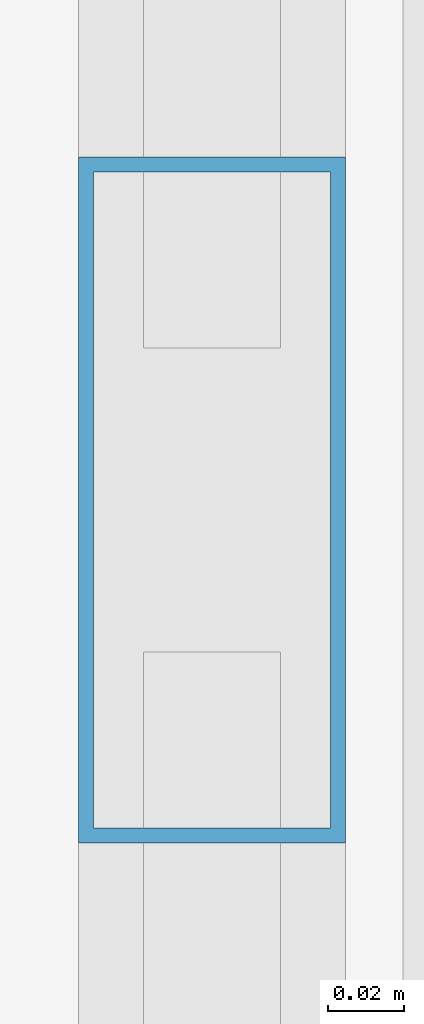
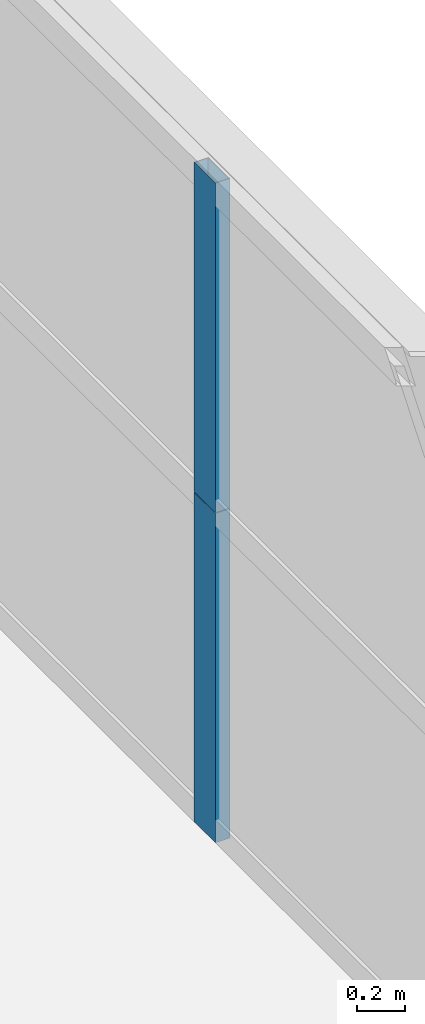
# One storey, part 17 of 37: 2 members, 1 element without a shape of its own.
"""IFC4 building model written with IfcOpenShell, lengths in metres."""

from ifc_helpers import new_model, si_unit, direction, frame, origin, origin_2d, place, context, subcontext, project, spatial, hollow_rectangle, extrude, source, transform, mapped, material, layer, layer_set, material_profile, profile_set, type_object, element, aggregate, save


model = new_model("IFC4")

# Units and contexts
model_context = context("Model", 3, precision=1e-05, world=origin(), true_north=direction((0.0, 1.0)))
body_context = subcontext(model_context, "Body", "Model", "MODEL_VIEW")
ifc_project = project(units=[si_unit("LENGTHUNIT", "METRE"), si_unit("AREAUNIT", "SQUARE_METRE"), si_unit("VOLUMEUNIT", "CUBIC_METRE"), si_unit("PLANEANGLEUNIT", "RADIAN"), si_unit("MASSUNIT", "GRAM", prefix="KILO"), si_unit("THERMODYNAMICTEMPERATUREUNIT", "KELVIN"), si_unit("POWERUNIT", "WATT")], contexts=[model_context])

# Site, building, storey
site_placement = place(None, origin())
site = spatial("IfcSite", under=ifc_project, at=site_placement, CompositionType="ELEMENT")
building_placement = place(site_placement, origin())
building = spatial("IfcBuilding", under=site, at=building_placement, Name="Yuzanri Waterfront Tower", CompositionType="ELEMENT")
storey_placement = place(building_placement, frame((0.0, 0.0, 104.60009765625)))
storey = spatial("IfcBuildingStorey", under=building, at=storey_placement, Name="L27", CompositionType="ELEMENT", Elevation=104.60009765625)

# Curtain wall, members
ifc_material_1 = material(Name="Anodized Architectural Bronze", Category="metal")
ifc_layer = layer(ifc_material_1, 0.159912109375)
ifc_layer_set = layer_set([ifc_layer], Name="Anodized Architectural Bronze")
curtain_wall_type = type_object("IfcCurtainWallType", Name="Anodized Bronze Hotel Upper-Tier Solar-Control Unitized Curtain Wall 7800", PredefinedType="NOTDEFINED", material=ifc_layer_set)
curtain_wall_placement = place(storey_placement, origin())
curtain_wall = element("IfcCurtainWall", 1, at=curtain_wall_placement, inside=storey, type_object=curtain_wall_type, Name="L27 Curtain Wall CW-L27-EL", PredefinedType="NOTDEFINED")
ifc_material_2 = material(Name="Anodized Architectural Bronze", Category="metal")
ifc_material_profile = material_profile(ifc_material_2, hollow_rectangle(XDim=0.070068359375, YDim=0.179931640625, WallThickness=0.00390625, at=origin_2d()), Name="CWM 70x180")
ifc_profile_set = profile_set([ifc_material_profile], Name="Anodized Architectural Bronze")
member_type = type_object("IfcMemberType", Name="Anodized Bronze Standard Curtain-Wall Mullion 70x180", PredefinedType="MULLION", material=ifc_profile_set)
shared_shape = source(origin(), body_context, "Body", "SweptSolid", [
    extrude(hollow_rectangle(XDim=0.070068359375, YDim=0.179931640625, WallThickness=0.00390625, at=origin_2d()), origin(), (0.0, 0.0, 1.0), 1.68798828125),
])
member_1_placement = place(storey_placement, frame((60.449951171875, 17.449951171875, 0.0), z_axis=(0.0, 0.0, 1.0), x_axis=(1.0, 0.0, 0.0)))
member_1 = element("IfcMember", 2, at=member_1_placement, type_object=member_type, Name="CW-L27-EL Lower Mullion 01", PredefinedType="MULLION", context=body_context, shape_type="MappedRepresentation", body=[
    mapped(shared_shape, transform((0.0, 0.0, 0.0), scale=1.0)),
])
member_2_placement = place(storey_placement, frame((60.449951171875, 17.449951171875, 1.69189453125), z_axis=(0.0, 0.0, 1.0), x_axis=(1.0, 0.0, 0.0)))
member_2 = element("IfcMember", 3, at=member_2_placement, type_object=member_type, Name="CW-L27-EL Upper Mullion 01", PredefinedType="MULLION", context=body_context, shape_type="MappedRepresentation", body=[
    mapped(shared_shape, transform((0.0, 0.0, 0.0), scale=1.0)),
])
aggregate(curtain_wall, [member_1, member_2])

save(model, "model.ifc")
